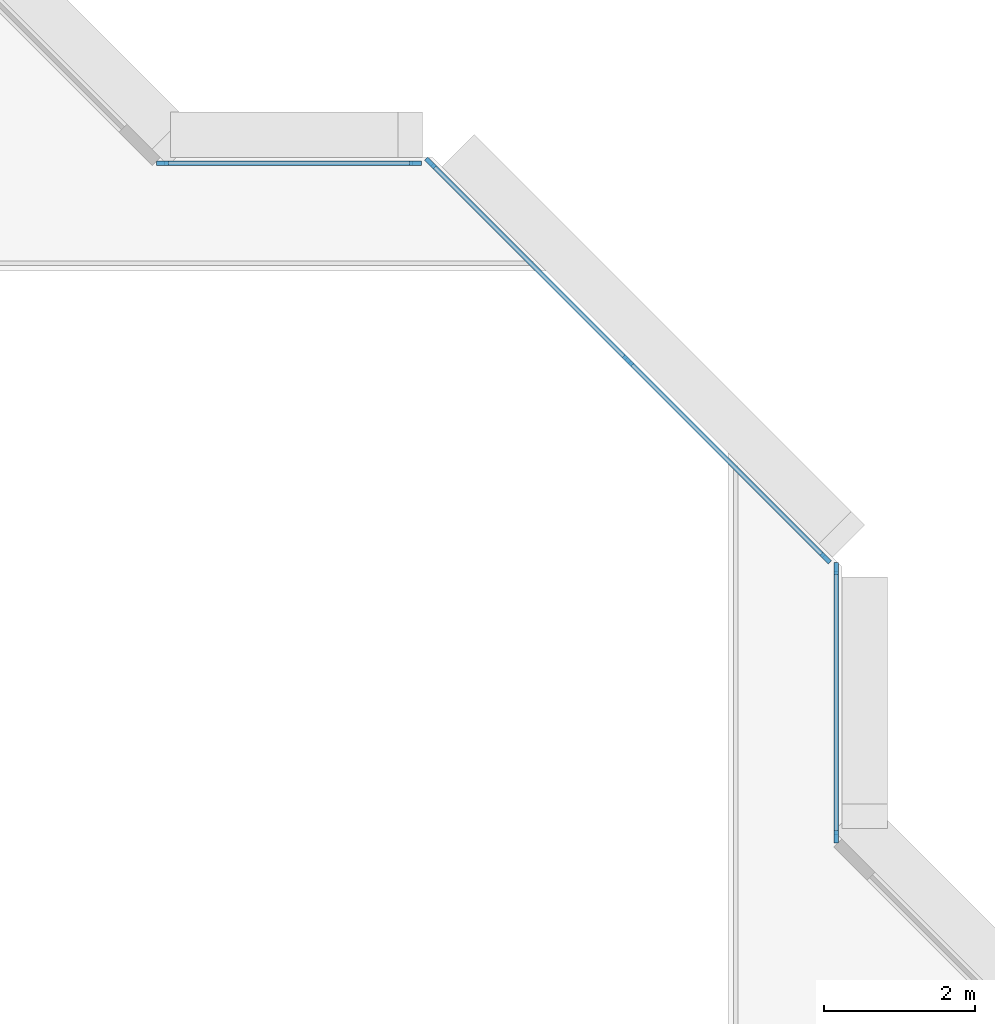
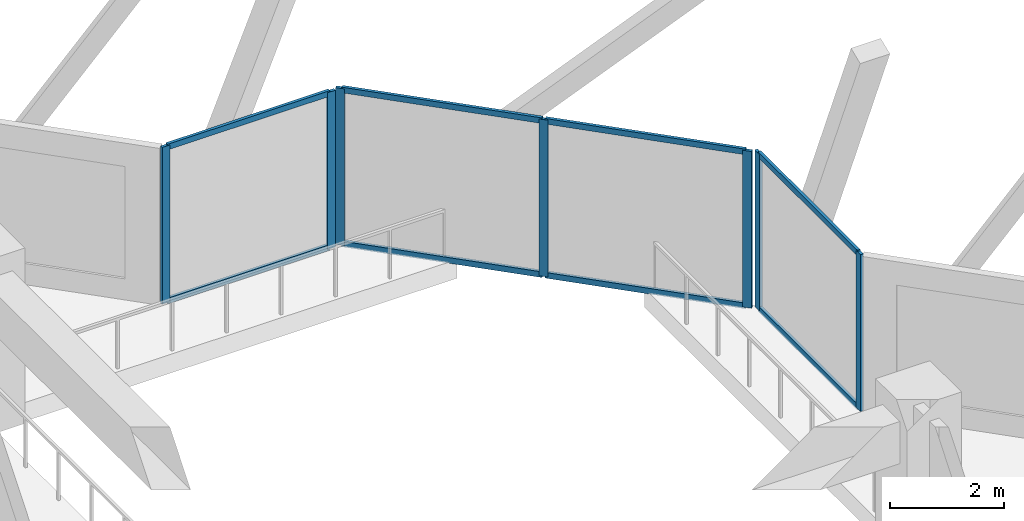
# One storey, part 2 of 16: 15 members, 3 elements without a shape of their own.
"""IFC4 building model written with IfcOpenShell, lengths in metres."""

from ifc_helpers import new_model, si_unit, direction, frame, origin, origin_2d, place, context, subcontext, project, spatial, rectangle, extrude, material, layer, layer_set, material_profile, profile_set, type_object, element, aggregate, save


model = new_model("IFC4")

# Units and contexts
model_context = context("Model", 3, precision=1e-05, world=origin(), true_north=direction((0.0, 1.0)))
body_context = subcontext(model_context, "Body", "Model", "MODEL_VIEW")
ifc_project = project(units=[si_unit("LENGTHUNIT", "METRE"), si_unit("AREAUNIT", "SQUARE_METRE"), si_unit("VOLUMEUNIT", "CUBIC_METRE"), si_unit("PLANEANGLEUNIT", "RADIAN"), si_unit("MASSUNIT", "GRAM", prefix="KILO")], contexts=[model_context])

# Site, building, storey
site_placement = place(None, origin())
site = spatial("IfcSite", under=ifc_project, at=site_placement, CompositionType="ELEMENT")
building_placement = place(site_placement, origin())
building = spatial("IfcBuilding", under=site, at=building_placement, Name="Chenar Terraces", CompositionType="ELEMENT")
storey_placement = place(building_placement, frame((0.0, 0.0, 78.89990234375)))
storey = spatial("IfcBuildingStorey", under=building, at=storey_placement, Name="L17", CompositionType="ELEMENT", Elevation=78.89990234375)

# Curtain wall, members
ifc_material_1 = material(Name="Aluminium framed glazing", Category="aluminium")
ifc_layer = layer(ifc_material_1, 0.14990234375)
ifc_layer_set = layer_set([ifc_layer], Name="Aluminium framed glazing")
curtain_wall_type = type_object("IfcCurtainWallType", Name="Atrium curtain wall", PredefinedType="NOTDEFINED", material=ifc_layer_set)
placement = place(storey_placement, origin())
curtain_wall_1 = element("IfcCurtainWall", 1, at=placement, inside=storey, type_object=curtain_wall_type, Name="Atrium curtain wall", PredefinedType="NOTDEFINED")
ifc_material_2 = material(Name="Aluminium", Category="aluminium")
ifc_material_profile_1 = material_profile(ifc_material_2, rectangle(XDim=0.06005859375, YDim=0.159912109375, at=origin_2d()), Name="Atrium glazing mullion 60 x 160")
ifc_profile_set_1 = profile_set([ifc_material_profile_1], Name="Aluminium")
member_type_1 = type_object("IfcMemberType", Name="Atrium glazing mullion 60 x 160", PredefinedType="MULLION", material=ifc_profile_set_1)
member_1_placement = place(storey_placement, frame((37.425048828125, 28.530029296875, 0.0), z_axis=(0.0, 0.0, 1.0), x_axis=(-1.0, 0.0, 0.0)))
member_1 = element("IfcMember", 2, at=member_1_placement, type_object=member_type_1, Name="CW1-1 mullion 1", PredefinedType="MULLION", context=body_context, shape_type="SweptSolid", body=[
    extrude(rectangle(XDim=0.06005859375, YDim=0.159912109375, at=origin_2d()), origin(), (0.0, 0.0, 1.0), 3.35009765625),
])
member_2_placement = place(storey_placement, frame((37.425048828125, 32.070068359375, 0.0), z_axis=(0.0, 0.0, 1.0), x_axis=(-1.0, 0.0, 0.0)))
member_2 = element("IfcMember", 3, at=member_2_placement, type_object=member_type_1, Name="CW1-1 mullion 2", PredefinedType="MULLION", context=body_context, shape_type="SweptSolid", body=[
    extrude(rectangle(XDim=0.06005859375, YDim=0.159912109375, at=origin_2d()), origin(), (0.0, 0.0, 1.0), 3.35009765625),
])

curtain_wall_2 = element("IfcCurtainWall", 4, at=placement, inside=storey, type_object=curtain_wall_type, Name="Atrium curtain wall", PredefinedType="NOTDEFINED")
member_3_placement = place(storey_placement, frame((37.284423828125, 32.209716796875, 0.0), z_axis=(0.0, 0.0, 1.0), x_axis=(-0.707106781187, -0.707106781187, 0.0)))
member_3 = element("IfcMember", 5, at=member_3_placement, type_object=member_type_1, Name="CW1-2 mullion 1", PredefinedType="MULLION", context=body_context, shape_type="SweptSolid", body=[
    extrude(rectangle(XDim=0.06005859375, YDim=0.159912109375, at=origin_2d()), origin(), (0.0, 0.0, 1.0), 3.35009765625),
])
member_4_placement = place(storey_placement, frame((34.67626953125, 34.817626953125, 0.0), z_axis=(0.0, 0.0, 1.0), x_axis=(-0.707106781187, -0.707106781187, 0.0)))
member_4 = element("IfcMember", 6, at=member_4_placement, type_object=member_type_1, Name="CW1-2 mullion 2", PredefinedType="MULLION", context=body_context, shape_type="SweptSolid", body=[
    extrude(rectangle(XDim=0.06005859375, YDim=0.159912109375, at=origin_2d()), origin(), (0.0, 0.0, 1.0), 3.35009765625),
])
member_5_placement = place(storey_placement, frame((32.068115234375, 37.42578125, 0.0), z_axis=(0.0, 0.0, 1.0), x_axis=(-0.707106781187, -0.707106781187, 0.0)))
member_5 = element("IfcMember", 7, at=member_5_placement, type_object=member_type_1, Name="CW1-2 mullion 3", PredefinedType="MULLION", context=body_context, shape_type="SweptSolid", body=[
    extrude(rectangle(XDim=0.06005859375, YDim=0.159912109375, at=origin_2d()), origin(), (0.0, 0.0, 1.0), 3.35009765625),
])

curtain_wall_3 = element("IfcCurtainWall", 8, at=placement, inside=storey, type_object=curtain_wall_type, Name="Atrium curtain wall", PredefinedType="NOTDEFINED")
member_6_placement = place(storey_placement, frame((31.8701171875, 37.425048828125, 0.0), z_axis=(0.0, 0.0, 1.0), x_axis=(0.0, -1.0, 0.0)))
member_6 = element("IfcMember", 9, at=member_6_placement, type_object=member_type_1, Name="CW1-3 mullion 1", PredefinedType="MULLION", context=body_context, shape_type="SweptSolid", body=[
    extrude(rectangle(XDim=0.06005859375, YDim=0.159912109375, at=origin_2d()), origin(), (0.0, 0.0, 1.0), 3.35009765625),
])
member_7_placement = place(storey_placement, frame((28.530029296875, 37.425048828125, 0.0), z_axis=(0.0, 0.0, 1.0), x_axis=(0.0, -1.0, 0.0)))
member_7 = element("IfcMember", 10, at=member_7_placement, type_object=member_type_1, Name="CW1-3 mullion 2", PredefinedType="MULLION", context=body_context, shape_type="SweptSolid", body=[
    extrude(rectangle(XDim=0.06005859375, YDim=0.159912109375, at=origin_2d()), origin(), (0.0, 0.0, 1.0), 3.35009765625),
])

# Member
ifc_material_3 = material(Name="Aluminium", Category="aluminium")
ifc_material_profile_2 = material_profile(ifc_material_3, rectangle(XDim=0.06005859375, YDim=0.1201171875, at=origin_2d()), Name="Atrium glazing transom 60 x 120")
ifc_profile_set_2 = profile_set([ifc_material_profile_2], Name="Aluminium")
member_type_2 = type_object("IfcMemberType", Name="Atrium glazing transom 60 x 120", PredefinedType="USERDEFINED", material=ifc_profile_set_2)
member_8_placement = place(storey_placement, frame((37.425048828125, 28.56005859375, 0.030029296875), z_axis=(0.0, 1.0, 0.0), x_axis=(-1.0, 0.0, 0.0)))
member_8 = element("IfcMember", 11, at=member_8_placement, type_object=member_type_2, Name="CW1-1 transom 1.1", ObjectType="TRANSOM", PredefinedType="USERDEFINED", context=body_context, shape_type="SweptSolid", body=[
    extrude(rectangle(XDim=0.06005859375, YDim=0.1201171875, at=origin_2d()), origin(), (0.0, 0.0, 1.0), 3.47998046875),
])

member_9_placement = place(storey_placement, frame((37.425048828125, 28.56005859375, 3.320068359375), z_axis=(0.0, 1.0, 0.0), x_axis=(-1.0, 0.0, 0.0)))
member_9 = element("IfcMember", 12, at=member_9_placement, type_object=member_type_2, Name="CW1-1 transom 1.2", ObjectType="TRANSOM", PredefinedType="USERDEFINED", context=body_context, shape_type="SweptSolid", body=[
    extrude(rectangle(XDim=0.06005859375, YDim=0.1201171875, at=origin_2d()), origin(), (0.0, 0.0, 1.0), 3.47998046875),
])

aggregate(curtain_wall_1, [member_1, member_2, member_8, member_9])

member_10_placement = place(storey_placement, frame((37.26318359375, 32.230712890625, 0.030029296875), z_axis=(-0.707106781187, 0.707106781187, 0.0), x_axis=(-0.707106781187, -0.707106781187, 0.0)))
member_10 = element("IfcMember", 13, at=member_10_placement, type_object=member_type_2, Name="CW1-2 transom 1.1", ObjectType="TRANSOM", PredefinedType="USERDEFINED", context=body_context, shape_type="SweptSolid", body=[
    extrude(rectangle(XDim=0.06005859375, YDim=0.1201171875, at=origin_2d()), origin(), (0.0, 0.0, 1.0), 3.62841796875),
])

member_11_placement = place(storey_placement, frame((37.26318359375, 32.230712890625, 3.320068359375), z_axis=(-0.707106781187, 0.707106781187, 0.0), x_axis=(-0.707106781187, -0.707106781187, 0.0)))
member_11 = element("IfcMember", 14, at=member_11_placement, type_object=member_type_2, Name="CW1-2 transom 1.2", ObjectType="TRANSOM", PredefinedType="USERDEFINED", context=body_context, shape_type="SweptSolid", body=[
    extrude(rectangle(XDim=0.06005859375, YDim=0.1201171875, at=origin_2d()), origin(), (0.0, 0.0, 1.0), 3.62841796875),
])

member_12_placement = place(storey_placement, frame((34.655029296875, 34.8388671875, 0.030029296875), z_axis=(-0.707106781187, 0.707106781187, 0.0), x_axis=(-0.707106781187, -0.707106781187, 0.0)))
member_12 = element("IfcMember", 15, at=member_12_placement, type_object=member_type_2, Name="CW1-2 transom 2.1", ObjectType="TRANSOM", PredefinedType="USERDEFINED", context=body_context, shape_type="SweptSolid", body=[
    extrude(rectangle(XDim=0.06005859375, YDim=0.1201171875, at=origin_2d()), origin(), (0.0, 0.0, 1.0), 3.62841796875),
])

member_13_placement = place(storey_placement, frame((34.655029296875, 34.8388671875, 3.320068359375), z_axis=(-0.707106781187, 0.707106781187, 0.0), x_axis=(-0.707106781187, -0.707106781187, 0.0)))
member_13 = element("IfcMember", 16, at=member_13_placement, type_object=member_type_2, Name="CW1-2 transom 2.2", ObjectType="TRANSOM", PredefinedType="USERDEFINED", context=body_context, shape_type="SweptSolid", body=[
    extrude(rectangle(XDim=0.06005859375, YDim=0.1201171875, at=origin_2d()), origin(), (0.0, 0.0, 1.0), 3.62841796875),
])

aggregate(curtain_wall_2, [member_3, member_4, member_5, member_10, member_11, member_12, member_13])

member_14_placement = place(storey_placement, frame((31.840087890625, 37.425048828125, 0.030029296875), z_axis=(-1.0, 0.0, 0.0), x_axis=(0.0, -1.0, 0.0)))
member_14 = element("IfcMember", 17, at=member_14_placement, type_object=member_type_2, Name="CW1-3 transom 1.1", ObjectType="TRANSOM", PredefinedType="USERDEFINED", context=body_context, shape_type="SweptSolid", body=[
    extrude(rectangle(XDim=0.06005859375, YDim=0.1201171875, at=origin_2d()), origin(), (0.0, 0.0, 1.0), 3.280029296875),
])

member_15_placement = place(storey_placement, frame((31.840087890625, 37.425048828125, 3.320068359375), z_axis=(-1.0, 0.0, 0.0), x_axis=(0.0, -1.0, 0.0)))
member_15 = element("IfcMember", 18, at=member_15_placement, type_object=member_type_2, Name="CW1-3 transom 1.2", ObjectType="TRANSOM", PredefinedType="USERDEFINED", context=body_context, shape_type="SweptSolid", body=[
    extrude(rectangle(XDim=0.06005859375, YDim=0.1201171875, at=origin_2d()), origin(), (0.0, 0.0, 1.0), 3.280029296875),
])

aggregate(curtain_wall_3, [member_6, member_7, member_14, member_15])

save(model, "model.ifc")
